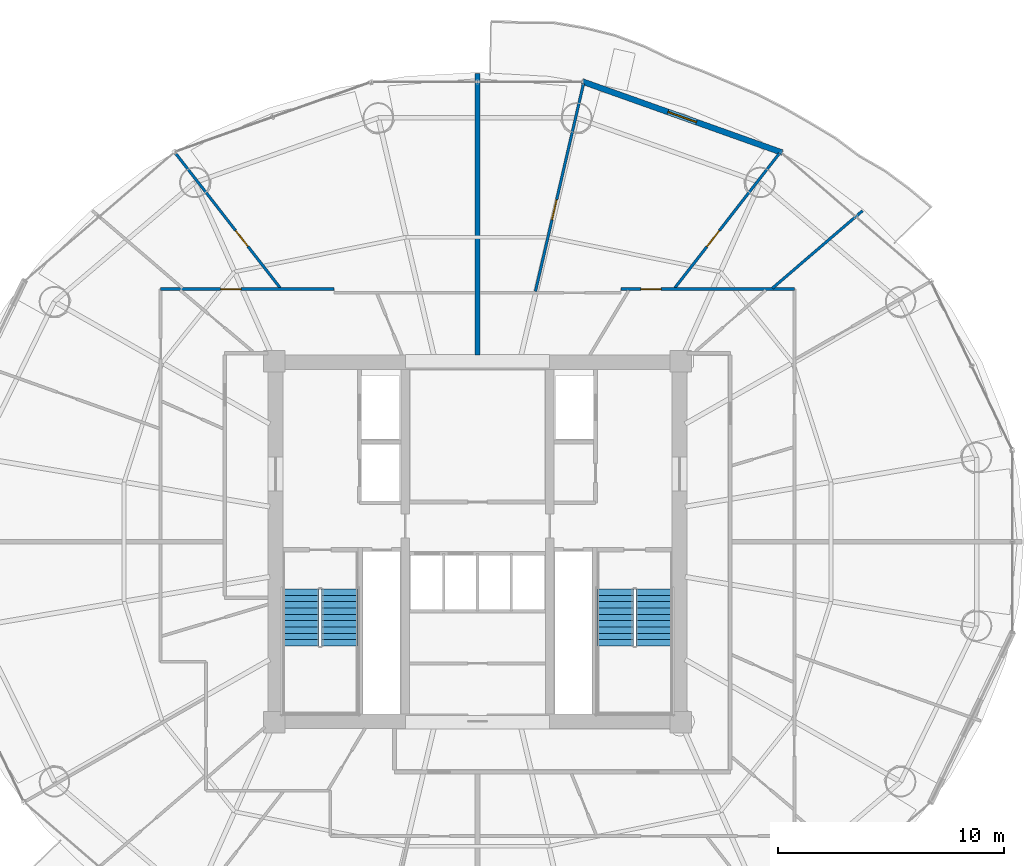
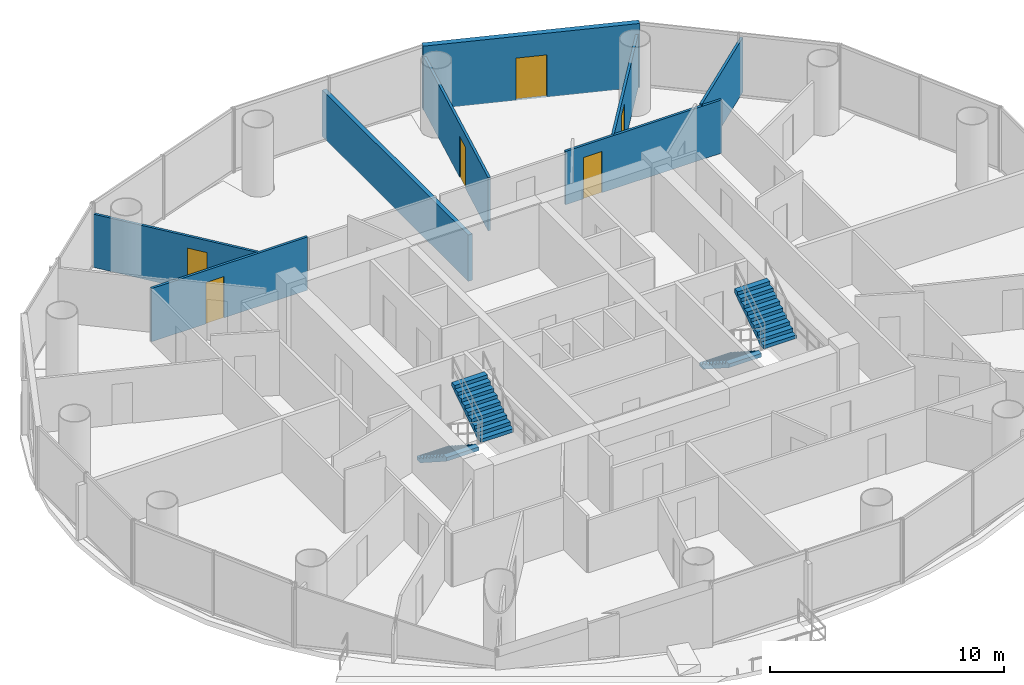
# One storey, part 24 of 27: 8 walls, 6 doors, 4 stair flights, 6 openings, 2 elements without a shape of their own.
"""IFC4 building model written with IfcOpenShell, lengths in metres."""

from ifc_helpers import new_model, si_unit, direction, frame, frame_2d, origin, place, context, subcontext, project, spatial, polyline, rectangle, outline, extrude, source, transform, mapped, material, layer, layer_set, type_object, element, fill, aggregate, save


model = new_model("IFC4")

# Units and contexts
model_context = context("Model", 3, precision=1e-05, world=origin(), true_north=direction((-0.2419218956, 0.970295726276)))
body_context = subcontext(model_context, "Body", "Model", "MODEL_VIEW")
ifc_project = project(units=[si_unit("LENGTHUNIT", "METRE"), si_unit("AREAUNIT", "SQUARE_METRE"), si_unit("VOLUMEUNIT", "CUBIC_METRE"), si_unit("PLANEANGLEUNIT", "RADIAN"), si_unit("MASSUNIT", "GRAM", prefix="KILO")], contexts=[model_context])

# Site, building, storey
site_placement = place(None, origin())
site = spatial("IfcSite", under=ifc_project, at=site_placement, CompositionType="ELEMENT")
building_placement = place(site_placement, origin())
building = spatial("IfcBuilding", under=site, at=building_placement, Name="Cobrevalo Terracotta Tower", CompositionType="ELEMENT")
storey_placement = place(building_placement, frame((0.0, 0.0, 160.60009765625)))
storey = spatial("IfcBuildingStorey", under=building, at=storey_placement, Name="L42", CompositionType="ELEMENT", Elevation=160.60009765625)

# Wall
ifc_material_1 = material(Name="Autoclaved aerated concrete block", Category="concrete")
ifc_layer_1 = layer(ifc_material_1, 0.199951171875)
ifc_layer_set_1 = layer_set([ifc_layer_1], Name="Autoclaved aerated concrete block")
wall_type_1 = type_object("IfcWallType", Name="Fire-rated stair, shaft & demising masonry wall 200 mm", PredefinedType="PARTITIONING", material=ifc_layer_set_1)
wall_1_placement = place(storey_placement, frame((38.0, 35.074951171875, 0.0), z_axis=(0.0, 0.0, 1.0), x_axis=(0.0, 1.0, 0.0)))
element("IfcWall", 1, at=wall_1_placement, inside=storey, type_object=wall_type_1, Name="L42 interior partition IW-L42-DEM-2", PredefinedType="PARTITIONING", context=body_context, shape_type="SweptSolid", body=[
    extrude(rectangle(XDim=12.465087890625, YDim=0.199951171875, at=frame_2d((6.232421875, 0.0))), origin(), (0.0, 0.0, 1.0), 2.414794921875),
])

# Wall, opening, door
ifc_layer_2 = layer(ifc_material_1, 0.260009765625)
ifc_layer_set_2 = layer_set([ifc_layer_2], Name="Autoclaved aerated concrete block")
wall_type_2 = type_object("IfcWallType", Name="Recessed balcony loggia insulated exterior wall 260 mm", PredefinedType="SOLIDWALL", material=ifc_layer_set_2)
wall_2_placement = place(storey_placement, frame((51.50341796875, 44.042724609375, 0.0), z_axis=(0.0, 0.0, 1.0), x_axis=(-0.942095406405, 0.335344964522, 0.0)))
wall_2 = element("IfcWall", 2, at=wall_2_placement, inside=storey, type_object=wall_type_2, Name="L42 balcony loggia wall S03", PredefinedType="SOLIDWALL", context=body_context, shape_type="SweptSolid", body=[
    extrude(rectangle(XDim=9.408203125, YDim=0.260009765625, at=frame_2d((4.7041015625, 0.0))), origin(), (0.0, 0.0, 1.0), 3.329833984375),
])
opening_1_placement = place(wall_2_placement, frame((4.029052734375, 0.0, 0.0)))
opening_1 = element("IfcOpeningElement", 3, at=opening_1_placement, cuts=wall_2, Name="Opening ED-05", PredefinedType="OPENING", context=body_context, shape_type="SweptSolid", body=[
    extrude(rectangle(XDim=1.35009765625, YDim=2.199951171875, at=frame_2d((0.675048828125, 1.10009765625))), frame((0.0, 0.14013671875, 0.0), z_axis=(0.0, -1.0, 0.0), x_axis=(1.0, 0.0, 0.0)), (0.0, 0.0, 1.0), 0.280029296875),
])
ifc_material_2 = material(Name="Anodized aluminium and laminated glass", Category="aluminium")
door_type_1 = type_object("IfcDoorType", Name="Suite balcony acoustic glazed terrace door 1350x2200", OperationType="NOTDEFINED", PredefinedType="DOOR", material=ifc_material_2)
shared_shape_1 = source(origin(), body_context, "Body", "SweptSolid", [
    extrude(rectangle(XDim=1.35009765625, YDim=2.199951171875, at=frame_2d((0.675048828125, 1.10009765625))), frame((0.0, 0.02490234375, 0.0), z_axis=(0.0, -1.0, 0.0), x_axis=(1.0, 0.0, 0.0)), (0.0, 0.0, 1.0), 0.050048828125),
])
door_1_placement = place(opening_1_placement, frame((1.35009765625, 0.0, 0.0), z_axis=(0.0, 0.0, 1.0), x_axis=(-1.0, 0.0, 0.0)))
door_1 = element("IfcDoor", 4, at=door_1_placement, inside=storey, type_object=door_type_1, Name="L42 glazed balcony terrace door 1", OperationType="SINGLE_SWING_LEFT", OverallHeight=2.199951171875, OverallWidth=1.35009765625, PredefinedType="DOOR", context=body_context, shape_type="MappedRepresentation", body=[
    mapped(shared_shape_1, transform((0.0, 0.0, 0.0), scale=1.0)),
])
fill(opening_1, door_1)

ifc_material_3 = material(Name="Gypsum board on steel stud", Category="steel")
ifc_layer_3 = layer(ifc_material_3, 0.1201171875)
ifc_layer_set_3 = layer_set([ifc_layer_3], Name="Gypsum board on steel stud")
wall_type_3 = type_object("IfcWallType", Name="Residential internal acoustic stud partition 120 mm", PredefinedType="PARTITIONING", material=ifc_layer_set_3)
wall_3_placement = place(storey_placement, frame((44.35498046875, 37.9951171875, 0.0), z_axis=(0.0, 0.0, 1.0), x_axis=(1.0, 0.0, 0.0)))
wall_3 = element("IfcWall", 5, at=wall_3_placement, inside=storey, type_object=wall_type_3, Name="L42 interior partition IW-L42-U1-RING2_0", PredefinedType="PARTITIONING", context=body_context, shape_type="SweptSolid", body=[
    extrude(rectangle(XDim=7.68994140625, YDim=0.1201171875, at=frame_2d((3.844970703125, 0.0))), origin(), (0.0, 0.0, 1.0), 2.77587890625),
])
opening_2_placement = place(wall_3_placement, frame((0.887451171875, 0.0, 0.0)))
opening_2 = element("IfcOpeningElement", 6, at=opening_2_placement, cuts=wall_3, Name="Opening ID-12", PredefinedType="OPENING", context=body_context, shape_type="SweptSolid", body=[
    extrude(rectangle(XDim=0.89990234375, YDim=2.14990234375, at=frame_2d((0.449951171875, 1.074951171875))), frame((0.0, 0.070068359375, 0.0), z_axis=(0.0, -1.0, 0.0), x_axis=(1.0, 0.0, 0.0)), (0.0, 0.0, 1.0), 0.14013671875),
])
ifc_material_4 = material(Name="Engineered timber", Category="wood")
door_type_2 = type_object("IfcDoorType", Name="Internal residence & suite timber door 900x2150", OperationType="NOTDEFINED", PredefinedType="DOOR", material=ifc_material_4)
shared_shape_2 = source(origin(), body_context, "Body", "SweptSolid", [
    extrude(rectangle(XDim=0.89990234375, YDim=2.14990234375, at=frame_2d((0.449951171875, 1.074951171875))), frame((0.0, 0.02490234375, 0.0), z_axis=(0.0, -1.0, 0.0), x_axis=(1.0, 0.0, 0.0)), (0.0, 0.0, 1.0), 0.050048828125),
])
door_2_placement = place(opening_2_placement, origin())
door_2 = element("IfcDoor", 7, at=door_2_placement, inside=storey, type_object=door_type_2, Name="Flat L42A Penthouse Family Lounge internal door", OperationType="SINGLE_SWING_LEFT", OverallHeight=2.14990234375, OverallWidth=0.89990234375, PredefinedType="DOOR", context=body_context, shape_type="MappedRepresentation", body=[
    mapped(shared_shape_2, transform((0.0, 0.0, 0.0), scale=1.0)),
])
fill(opening_2, door_2)

# Wall
wall_4_placement = place(storey_placement, frame((51.072021484375, 38.035400390625, 0.0), z_axis=(0.0, 0.0, 1.0), x_axis=(0.758368609512, 0.65182593697, 0.0)))
element("IfcWall", 8, at=wall_4_placement, inside=storey, type_object=wall_type_3, Name="L42 interior partition IW-L42-U1-ORAD2", PredefinedType="PARTITIONING", context=body_context, shape_type="SweptSolid", body=[
    extrude(rectangle(XDim=5.263427734375, YDim=0.1201171875, at=frame_2d((2.6318359375, 0.0))), origin(), (0.0, 0.0, 1.0), 2.845947265625),
])

# Wall, opening, door
wall_5_placement = place(storey_placement, frame((46.740966796875, 38.0439453125, 0.0), z_axis=(0.0, 0.0, 1.0), x_axis=(0.613770587295, 0.789484430607, 0.0)))
wall_5 = element("IfcWall", 9, at=wall_5_placement, inside=storey, type_object=wall_type_3, Name="L42 interior partition IW-L42-U1-ORAD3M1", PredefinedType="PARTITIONING", context=body_context, shape_type="SweptSolid", body=[
    extrude(rectangle(XDim=7.5556640625, YDim=0.1201171875, at=frame_2d((3.77783203125, 0.0))), origin(), (0.0, 0.0, 1.0), 2.77587890625),
])
opening_3_placement = place(wall_5_placement, frame((2.324951171875, 0.0, 0.0)))
opening_3 = element("IfcOpeningElement", 10, at=opening_3_placement, cuts=wall_5, Name="Opening ID-12", PredefinedType="OPENING", context=body_context, shape_type="SweptSolid", body=[
    extrude(rectangle(XDim=0.89990234375, YDim=2.14990234375, at=frame_2d((0.449951171875, 1.074951171875))), frame((0.0, 0.070068359375, 0.0), z_axis=(0.0, -1.0, 0.0), x_axis=(1.0, 0.0, 0.0)), (0.0, 0.0, 1.0), 0.14013671875),
])
door_3_placement = place(opening_3_placement, frame((0.89990234375, 0.0, 0.0), z_axis=(0.0, 0.0, 1.0), x_axis=(-1.0, 0.0, 0.0)))
door_3 = element("IfcDoor", 11, at=door_3_placement, inside=storey, type_object=door_type_2, Name="Flat L42A Principal Guest Bedroom internal door", OperationType="SINGLE_SWING_RIGHT", OverallHeight=2.14990234375, OverallWidth=0.89990234375, PredefinedType="DOOR", context=body_context, shape_type="MappedRepresentation", body=[
    mapped(shared_shape_2, transform((0.0, 0.0, 0.0), scale=1.0)),
])
fill(opening_3, door_3)

wall_6_placement = place(storey_placement, frame((40.56787109375, 37.8955078125, 0.0), z_axis=(0.0, 0.0, 1.0), x_axis=(0.225452174141, 0.974254236416, 0.0)))
wall_6 = element("IfcWall", 12, at=wall_6_placement, inside=storey, type_object=wall_type_3, Name="L42 interior partition IW-L42-U1-ORAD3", PredefinedType="PARTITIONING", context=body_context, shape_type="SweptSolid", body=[
    extrude(rectangle(XDim=9.446044921875, YDim=0.1201171875, at=frame_2d((4.72314453125, 0.0))), origin(), (0.0, 0.0, 1.0), 2.77587890625),
])
opening_4_placement = place(wall_6_placement, frame((3.263916015625, 0.0, 0.0)))
opening_4 = element("IfcOpeningElement", 13, at=opening_4_placement, cuts=wall_6, Name="Opening ID-12", PredefinedType="OPENING", context=body_context, shape_type="SweptSolid", body=[
    extrude(rectangle(XDim=0.89990234375, YDim=2.14990234375, at=frame_2d((0.449951171875, 1.074951171875))), frame((0.0, 0.070068359375, 0.0), z_axis=(0.0, -1.0, 0.0), x_axis=(1.0, 0.0, 0.0)), (0.0, 0.0, 1.0), 0.14013671875),
])
door_4_placement = place(opening_4_placement, origin())
door_4 = element("IfcDoor", 14, at=door_4_placement, inside=storey, type_object=door_type_2, Name="Flat L42A North Bedroom internal door", OperationType="SINGLE_SWING_LEFT", OverallHeight=2.14990234375, OverallWidth=0.89990234375, PredefinedType="DOOR", context=body_context, shape_type="MappedRepresentation", body=[
    mapped(shared_shape_2, transform((0.0, 0.0, 0.0), scale=1.0)),
])
fill(opening_4, door_4)

wall_7_placement = place(storey_placement, frame((23.955078125, 37.9951171875, 0.0), z_axis=(0.0, 0.0, 1.0), x_axis=(1.0, 0.0, 0.0)))
wall_7 = element("IfcWall", 15, at=wall_7_placement, inside=storey, type_object=wall_type_3, Name="L42 interior partition IW-L42-U2-RING1_0", PredefinedType="PARTITIONING", context=body_context, shape_type="SweptSolid", body=[
    extrude(rectangle(XDim=7.68994140625, YDim=0.1201171875, at=frame_2d((3.844970703125, 0.0))), origin(), (0.0, 0.0, 1.0), 2.77587890625),
])
opening_5_placement = place(wall_7_placement, frame((2.666748046875, 0.0, 0.0)))
opening_5 = element("IfcOpeningElement", 16, at=opening_5_placement, cuts=wall_7, Name="Opening ID-12", PredefinedType="OPENING", context=body_context, shape_type="SweptSolid", body=[
    extrude(rectangle(XDim=0.89990234375, YDim=2.14990234375, at=frame_2d((0.449951171875, 1.074951171875))), frame((0.0, 0.070068359375, 0.0), z_axis=(0.0, -1.0, 0.0), x_axis=(1.0, 0.0, 0.0)), (0.0, 0.0, 1.0), 0.14013671875),
])
door_5_placement = place(opening_5_placement, origin())
door_5 = element("IfcDoor", 17, at=door_5_placement, inside=storey, type_object=door_type_2, Name="Flat L42B Master Bedroom internal door", OperationType="SINGLE_SWING_LEFT", OverallHeight=2.14990234375, OverallWidth=0.89990234375, PredefinedType="DOOR", context=body_context, shape_type="MappedRepresentation", body=[
    mapped(shared_shape_2, transform((0.0, 0.0, 0.0), scale=1.0)),
])
fill(opening_5, door_5)

wall_8_placement = place(storey_placement, frame((29.259033203125, 38.0439453125, 0.0), z_axis=(0.0, 0.0, 1.0), x_axis=(-0.613770587295, 0.789484430607, 0.0)))
wall_8 = element("IfcWall", 18, at=wall_8_placement, inside=storey, type_object=wall_type_3, Name="L42 interior partition IW-L42-U2-ORAD1", PredefinedType="PARTITIONING", context=body_context, shape_type="SweptSolid", body=[
    extrude(rectangle(XDim=7.5556640625, YDim=0.1201171875, at=frame_2d((3.77783203125, 0.0))), origin(), (0.0, 0.0, 1.0), 2.77587890625),
])
opening_6_placement = place(wall_8_placement, frame((2.32958984375, 0.0, 0.0)))
opening_6 = element("IfcOpeningElement", 19, at=opening_6_placement, cuts=wall_8, Name="Opening ID-12", PredefinedType="OPENING", context=body_context, shape_type="SweptSolid", body=[
    extrude(rectangle(XDim=0.89990234375, YDim=2.14990234375, at=frame_2d((0.449951171875, 1.074951171875))), frame((0.0, 0.070068359375, 0.0), z_axis=(0.0, -1.0, 0.0), x_axis=(1.0, 0.0, 0.0)), (0.0, 0.0, 1.0), 0.14013671875),
])
door_6_placement = place(opening_6_placement, frame((0.89990234375, 0.0, 0.0), z_axis=(0.0, 0.0, 1.0), x_axis=(-1.0, 0.0, 0.0)))
door_6 = element("IfcDoor", 20, at=door_6_placement, inside=storey, type_object=door_type_2, Name="Flat L42B Penthouse Living and Dining Room internal door", OperationType="SINGLE_SWING_RIGHT", OverallHeight=2.14990234375, OverallWidth=0.89990234375, PredefinedType="DOOR", context=body_context, shape_type="MappedRepresentation", body=[
    mapped(shared_shape_2, transform((0.0, 0.0, 0.0), scale=1.0)),
])
fill(opening_6, door_6)

# Stair, stair flights
ifc_material_5 = material(Name="Concrete C50", Category="concrete")
stair_type = type_object("IfcStairType", Name="Core protected escape dogleg stair 1600", PredefinedType="HALF_TURN_STAIR", material=ifc_material_5)
stair_1_placement = place(storey_placement, origin())
stair_1 = element("IfcStair", 21, at=stair_1_placement, inside=storey, type_object=stair_type, Name="L42 Protected exit stair ST-1", PredefinedType="HALF_TURN_STAIR")
stair_flight_type = type_object("IfcStairFlightType", Name="Core protected escape dogleg stair 1600 flight", PredefinedType="STRAIGHT", material=ifc_material_5)
stair_flight_1_placement = place(storey_placement, frame((30.175048828125, 24.699951171875, 0.0), z_axis=(0.0, 0.0, 1.0), x_axis=(0.0, -1.0, 0.0)))
stair_flight_1 = element("IfcStairFlight", 22, at=stair_flight_1_placement, type_object=stair_flight_type, Name="ST-1 flight 1", NumberOfRisers=10, NumberOfTreads=9, PredefinedType="STRAIGHT", RiserHeight=0.18, TreadLength=0.28, context=body_context, shape_type="SweptSolid", body=[
    extrude(outline(polyline([(0.0, 0.0), (0.0, 0.179931640625), (0.280029296875, 0.179931640625), (0.280029296875, 0.360107421875), (0.56005859375, 0.360107421875), (0.56005859375, 0.5400390625), (0.840087890625, 0.5400390625), (0.840087890625, 0.719970703125), (1.1201171875, 0.719970703125), (1.1201171875, 0.89990234375), (1.39990234375, 0.89990234375), (1.39990234375, 1.080078125), (1.679931640625, 1.080078125), (1.679931640625, 1.260009765625), (1.9599609375, 1.260009765625), (1.9599609375, 1.43994140625), (2.239990234375, 1.43994140625), (2.239990234375, 1.6201171875), (2.52001953125, 1.6201171875), (2.52001953125, 1.800048828125), (2.52001953125, 1.429931640625), (0.295654296875, 0.0), (0.0, 0.0)])), frame((0.0, 0.800048828125, 0.0), z_axis=(0.0, -1.0, 0.0), x_axis=(1.0, 0.0, 0.0)), (0.0, 0.0, 1.0), 1.60009765625),
])
stair_flight_2_placement = place(storey_placement, frame((31.89501953125, 22.179931640625, 1.7998046875), z_axis=(0.0, 0.0, 1.0), x_axis=(0.0, 1.0, 0.0)))
stair_flight_2 = element("IfcStairFlight", 23, at=stair_flight_2_placement, type_object=stair_flight_type, Name="ST-1 flight 2", NumberOfRisers=10, NumberOfTreads=9, PredefinedType="STRAIGHT", RiserHeight=0.18, TreadLength=0.28, context=body_context, shape_type="SweptSolid", body=[
    extrude(outline(polyline([(0.0, 0.0), (0.0, 0.179931640625), (0.280029296875, 0.179931640625), (0.280029296875, 0.360107421875), (0.56005859375, 0.360107421875), (0.56005859375, 0.5400390625), (0.840087890625, 0.5400390625), (0.840087890625, 0.719970703125), (1.1201171875, 0.719970703125), (1.1201171875, 0.89990234375), (1.39990234375, 0.89990234375), (1.39990234375, 1.080078125), (1.679931640625, 1.080078125), (1.679931640625, 1.260009765625), (1.9599609375, 1.260009765625), (1.9599609375, 1.43994140625), (2.239990234375, 1.43994140625), (2.239990234375, 1.6201171875), (2.52001953125, 1.6201171875), (2.52001953125, 1.800048828125), (2.52001953125, 1.429931640625), (0.295654296875, 0.0), (0.0, 0.0)])), frame((0.0, 0.800048828125, 0.0), z_axis=(0.0, -1.0, 0.0), x_axis=(1.0, 0.0, 0.0)), (0.0, 0.0, 1.0), 1.60009765625),
])
aggregate(stair_1, [stair_flight_1, stair_flight_2])

stair_2_placement = place(storey_placement, origin())
stair_2 = element("IfcStair", 24, at=stair_2_placement, inside=storey, type_object=stair_type, Name="L42 Protected exit stair ST-2", PredefinedType="HALF_TURN_STAIR")
stair_flight_3_placement = place(storey_placement, frame((44.10498046875, 24.699951171875, 0.0), z_axis=(0.0, 0.0, 1.0), x_axis=(0.0, -1.0, 0.0)))
stair_flight_3 = element("IfcStairFlight", 25, at=stair_flight_3_placement, type_object=stair_flight_type, Name="ST-2 flight 1", NumberOfRisers=10, NumberOfTreads=9, PredefinedType="STRAIGHT", RiserHeight=0.18, TreadLength=0.28, context=body_context, shape_type="SweptSolid", body=[
    extrude(outline(polyline([(0.0, 0.0), (0.0, 0.179931640625), (0.280029296875, 0.179931640625), (0.280029296875, 0.360107421875), (0.56005859375, 0.360107421875), (0.56005859375, 0.5400390625), (0.840087890625, 0.5400390625), (0.840087890625, 0.719970703125), (1.1201171875, 0.719970703125), (1.1201171875, 0.89990234375), (1.39990234375, 0.89990234375), (1.39990234375, 1.080078125), (1.679931640625, 1.080078125), (1.679931640625, 1.260009765625), (1.9599609375, 1.260009765625), (1.9599609375, 1.43994140625), (2.239990234375, 1.43994140625), (2.239990234375, 1.6201171875), (2.52001953125, 1.6201171875), (2.52001953125, 1.800048828125), (2.52001953125, 1.429931640625), (0.295654296875, 0.0), (0.0, 0.0)])), frame((0.0, 0.800048828125, 0.0), z_axis=(0.0, -1.0, 0.0), x_axis=(1.0, 0.0, 0.0)), (0.0, 0.0, 1.0), 1.60009765625),
])
stair_flight_4_placement = place(storey_placement, frame((45.824951171875, 22.179931640625, 1.7998046875), z_axis=(0.0, 0.0, 1.0), x_axis=(0.0, 1.0, 0.0)))
stair_flight_4 = element("IfcStairFlight", 26, at=stair_flight_4_placement, type_object=stair_flight_type, Name="ST-2 flight 2", NumberOfRisers=10, NumberOfTreads=9, PredefinedType="STRAIGHT", RiserHeight=0.18, TreadLength=0.28, context=body_context, shape_type="SweptSolid", body=[
    extrude(outline(polyline([(0.0, 0.0), (0.0, 0.179931640625), (0.280029296875, 0.179931640625), (0.280029296875, 0.360107421875), (0.56005859375, 0.360107421875), (0.56005859375, 0.5400390625), (0.840087890625, 0.5400390625), (0.840087890625, 0.719970703125), (1.1201171875, 0.719970703125), (1.1201171875, 0.89990234375), (1.39990234375, 0.89990234375), (1.39990234375, 1.080078125), (1.679931640625, 1.080078125), (1.679931640625, 1.260009765625), (1.9599609375, 1.260009765625), (1.9599609375, 1.43994140625), (2.239990234375, 1.43994140625), (2.239990234375, 1.6201171875), (2.52001953125, 1.6201171875), (2.52001953125, 1.800048828125), (2.52001953125, 1.429931640625), (0.295654296875, 0.0), (0.0, 0.0)])), frame((0.0, 0.800048828125, 0.0), z_axis=(0.0, -1.0, 0.0), x_axis=(1.0, 0.0, 0.0)), (0.0, 0.0, 1.0), 1.60009765625),
])
aggregate(stair_2, [stair_flight_3, stair_flight_4])

save(model, "model.ifc")
